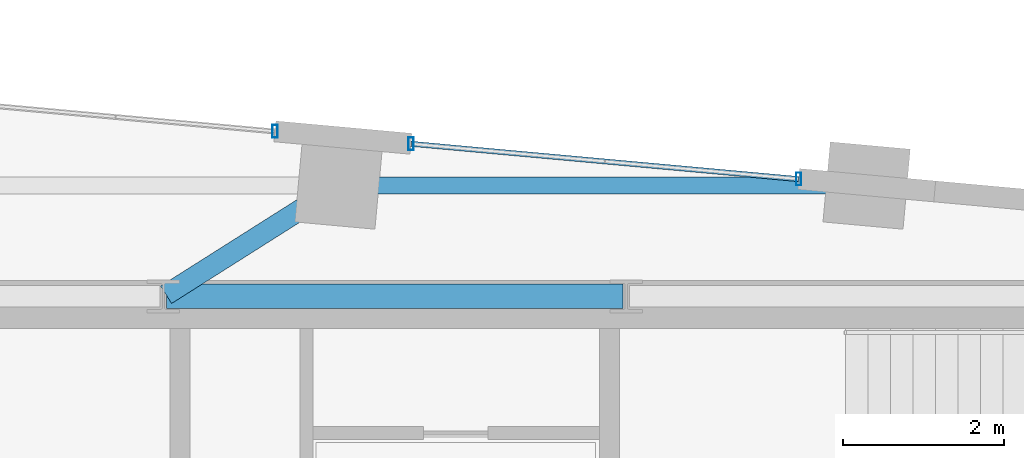
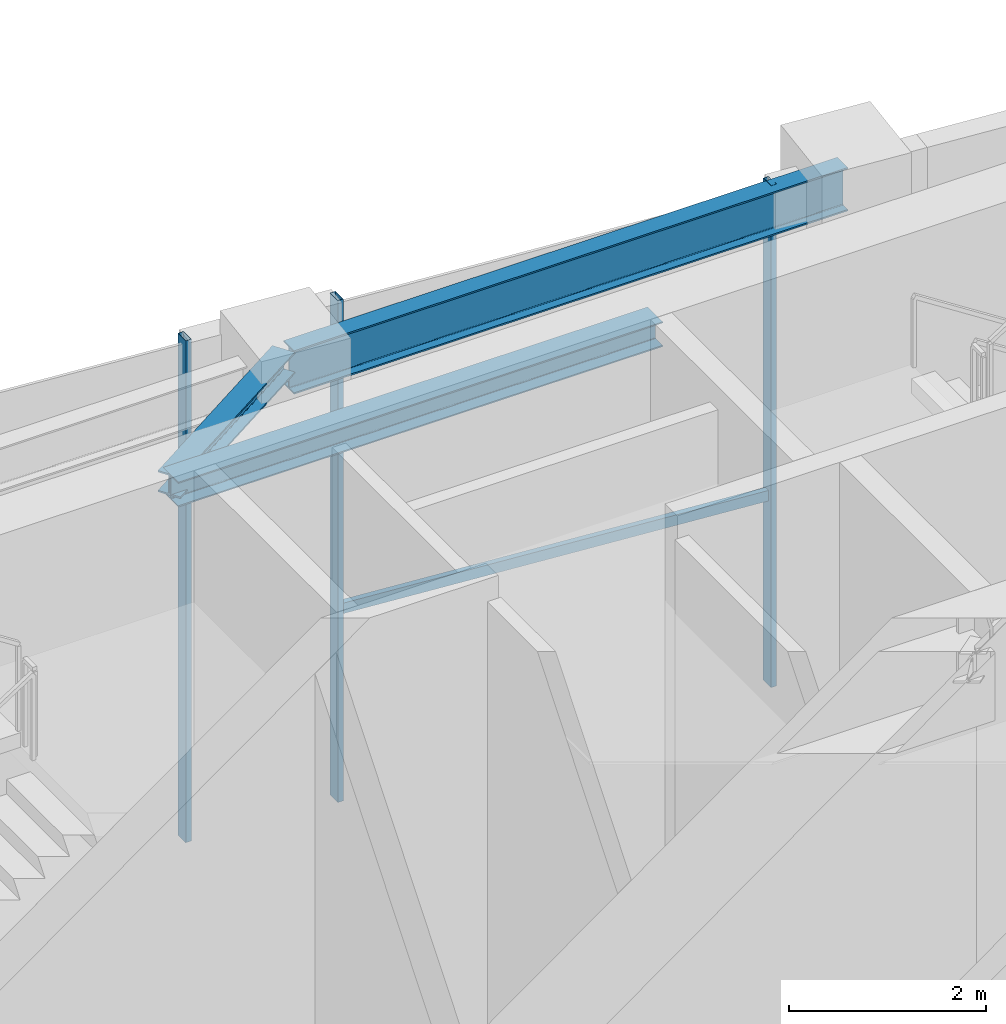
# One storey, part 8 of 14: 4 members, 3 beams, 2 elements without a shape of their own.
"""IFC4 building model written with IfcOpenShell, lengths in metres."""

from ifc_helpers import new_model, si_unit, direction, frame, origin, origin_2d, place, context, subcontext, project, spatial, hollow_rectangle, i_section, extrude, source, transform, mapped, material, material_profile, profile_set, type_object, type_shapes, element, aggregate, save


model = new_model("IFC4")

# Units and contexts
model_context = context("Model", 3, precision=1e-05, world=origin(), true_north=direction((0.0, 1.0)))
body_context = subcontext(model_context, "Body", "Model", "MODEL_VIEW")
ifc_project = project(units=[si_unit("LENGTHUNIT", "METRE"), si_unit("AREAUNIT", "SQUARE_METRE"), si_unit("VOLUMEUNIT", "CUBIC_METRE"), si_unit("PLANEANGLEUNIT", "RADIAN"), si_unit("MASSUNIT", "GRAM", prefix="KILO")], contexts=[model_context])

# Site, building, storey
site_placement = place(None, origin())
site = spatial("IfcSite", under=ifc_project, at=site_placement, CompositionType="ELEMENT")
building_placement = place(site_placement, origin())
building = spatial("IfcBuilding", under=site, at=building_placement, Name="Astriad Promenade Condominiums", CompositionType="ELEMENT")
storey_placement = place(building_placement, frame((0.0, 0.0, 270.800048828125)))
storey = spatial("IfcBuildingStorey", under=building, at=storey_placement, Name="L77", CompositionType="ELEMENT", Elevation=270.800048828125)

# Beams
ifc_material_1 = material(Name="Steel ASTM A992 Grade 50", Category="steel")
ifc_material_profile_1 = material_profile(ifc_material_1, i_section(OverallWidth=0.3046875, OverallDepth=0.307861328125, WebThickness=0.010009765625, FlangeThickness=0.015380859375, FilletRadius=0.01513671875, at=origin_2d()), Name="W12X65")
ifc_profile_set_1 = profile_set([ifc_material_profile_1], Name="Steel ASTM A992 Grade 50")
beam_type_1 = type_object("IfcBeamType", Name="STEEL OPENING LINTEL W12X65", PredefinedType="LINTEL", material=ifc_profile_set_1)
shared_shape_1 = source(origin(), body_context, "Body", "SweptSolid", [
    extrude(i_section(OverallWidth=0.3046875, OverallDepth=0.307861328125, WebThickness=0.010009765625, FlangeThickness=0.015380859375, FilletRadius=0.01513671875, at=origin_2d()), origin(), (0.0, 0.0, 1.0), 5.68017578125),
])
type_shapes(beam_type_1, [shared_shape_1])
beam_1_placement = place(storey_placement, frame((33.159912109375, 24.0, 6.066162109375), z_axis=(1.0, 0.0, 0.0), x_axis=(0.0, 1.0, 0.0)))
element("IfcBeam", 1, at=beam_1_placement, inside=storey, type_object=beam_type_1, Name="Core Ring Beam CG-N2-L77", PredefinedType="LINTEL", context=body_context, shape_type="MappedRepresentation", body=[
    mapped(shared_shape_1, transform((0.0, 0.0, 0.0), scale=1.0)),
])
ifc_material_profile_2 = material_profile(ifc_material_1, i_section(OverallWidth=0.210693359375, OverallDepth=0.53955078125, WebThickness=0.01171875, FlangeThickness=0.018798828125, FilletRadius=0.0166015625, at=origin_2d()), Name="W21X73")
ifc_profile_set_2 = profile_set([ifc_material_profile_2], Name="Steel ASTM A992 Grade 50")
beam_type_2 = type_object("IfcBeamType", Name="STEEL SPANDREL BEAM W21X73", PredefinedType="SPANDREL", material=ifc_profile_set_2)
shared_shape_2 = source(origin(), body_context, "Body", "SweptSolid", [
    extrude(i_section(OverallWidth=0.210693359375, OverallDepth=0.53955078125, WebThickness=0.01171875, FlangeThickness=0.018798828125, FilletRadius=0.0166015625, at=origin_2d()), origin(), (0.0, 0.0, 1.0), 6.49267578125),
])
type_shapes(beam_type_2, [shared_shape_2])
beam_2_placement = place(storey_placement, frame((41.8330078125, 25.3798828125, 5.9501953125), z_axis=(-1.0, 0.0, 0.0), x_axis=(0.0, -1.0, 0.0)))
element("IfcBeam", 2, at=beam_2_placement, inside=storey, type_object=beam_type_2, Name="Perimeter Spandrel Beam SP-N3-L77", PredefinedType="SPANDREL", context=body_context, shape_type="MappedRepresentation", body=[
    mapped(shared_shape_2, transform((0.0, 0.0, 0.0), scale=1.0)),
])
ifc_material_profile_3 = material_profile(ifc_material_1, i_section(OverallWidth=0.25732421875, OverallDepth=0.26416015625, WebThickness=0.011962890625, FlangeThickness=0.01953125, FilletRadius=0.0126953125, at=origin_2d()), Name="W10X68")
ifc_profile_set_3 = profile_set([ifc_material_profile_3], Name="Steel ASTM A992 Grade 50")
beam_type_3 = type_object("IfcBeamType", Name="STEEL CANOPY BEAM W10X68", PredefinedType="BEAM", material=ifc_profile_set_3)
shared_shape_3 = source(origin(), body_context, "Body", "SweptSolid", [
    extrude(i_section(OverallWidth=0.25732421875, OverallDepth=0.26416015625, WebThickness=0.011962890625, FlangeThickness=0.01953125, FilletRadius=0.0126953125, at=origin_2d()), origin(), (0.0, 0.0, 1.0), 2.50048828125),
])
type_shapes(beam_type_3, [shared_shape_3])
beam_3_placement = place(storey_placement, frame((35.2666015625, 25.358642578125, 6.087890625), z_axis=(-0.844989692299, -0.534782591255, 0.0), x_axis=(0.534782591255, -0.844989692299, 0.0)))
element("IfcBeam", 3, at=beam_3_placement, inside=storey, type_object=beam_type_3, Name="Primary Floor Girder PG-NC-L77", PredefinedType="BEAM", context=body_context, shape_type="MappedRepresentation", body=[
    mapped(shared_shape_3, transform((0.0, 0.0, 0.0), scale=1.0)),
])

# Curtain wall, member
ifc_material_2 = material(Name="Anodised aluminium Black Dark Glass Unitised", Category="aluminium")
curtain_wall_type = type_object("IfcCurtainWallType", Name="CW-TMD-LANTERN", PredefinedType="USERDEFINED", material=ifc_material_2)
curtain_wall_1_placement = place(storey_placement, origin())
curtain_wall_1 = element("IfcCurtainWall", 4, at=curtain_wall_1_placement, inside=storey, type_object=curtain_wall_type, Name="CW-LNT-L77-08-2", ObjectType="UNITISED_CURTAIN_WALL", PredefinedType="USERDEFINED")
ifc_material_3 = material(Name="Anodised aluminium 6063-T6 Black", Category="aluminium")
ifc_material_profile_4 = material_profile(ifc_material_3, hollow_rectangle(XDim=0.06494140625, YDim=0.1298828125, WallThickness=0.00390625, at=origin_2d()), Name="ALU-TRN-65X130")
ifc_profile_set_4 = profile_set([ifc_material_profile_4], Name="Anodised aluminium 6063-T6 Black")
member_type_1 = type_object("IfcMemberType", Name="TRN-ALU-TRN-65X130", PredefinedType="USERDEFINED", material=ifc_profile_set_4)
shared_shape_4 = source(origin(), body_context, "Body", "SweptSolid", [
    extrude(hollow_rectangle(XDim=0.06494140625, YDim=0.1298828125, WallThickness=0.00390625, at=origin_2d()), origin(), (0.0, 0.0, 1.0), 4.845947265625),
])
type_shapes(member_type_1, [shared_shape_4])
member_1_placement = place(storey_placement, frame((36.201171875, 25.900390625, 2.349853515625), z_axis=(0.995884116329, -0.090635681959, 0.0), x_axis=(0.090635681959, 0.995884116329, 0.0)))
member_1 = element("IfcMember", 5, at=member_1_placement, type_object=member_type_1, Name="CW-LNT-L77-08-2-TRN-00-0", ObjectType="TRANSOM", PredefinedType="USERDEFINED", context=body_context, shape_type="MappedRepresentation", body=[
    mapped(shared_shape_4, transform((0.0, 0.0, 0.0), scale=1.0)),
])

curtain_wall_2_placement = place(storey_placement, origin())
curtain_wall_2 = element("IfcCurtainWall", 6, at=curtain_wall_2_placement, inside=storey, type_object=curtain_wall_type, Name="CW-LNT-L77-08-1", ObjectType="UNITISED_CURTAIN_WALL", PredefinedType="USERDEFINED")
ifc_material_profile_5 = material_profile(ifc_material_3, hollow_rectangle(XDim=0.06494140625, YDim=0.159912109375, WallThickness=0.00390625, at=origin_2d()), Name="ALU-MUL-65X160")
ifc_profile_set_5 = profile_set([ifc_material_profile_5], Name="Anodised aluminium 6063-T6 Black")
member_type_2 = type_object("IfcMemberType", Name="MUL-ALU-MUL-65X160", PredefinedType="MULLION", material=ifc_profile_set_5)
shared_shape_5 = source(origin(), body_context, "Body", "SweptSolid", [
    extrude(hollow_rectangle(XDim=0.06494140625, YDim=0.159912109375, WallThickness=0.00390625, at=origin_2d()), origin(), (0.0, 0.0, 1.0), 6.219970703125),
])
type_shapes(member_type_2, [shared_shape_5])
member_2_placement = place(storey_placement, frame((34.50830078125, 26.0546875, 0.0), z_axis=(0.0, 0.0, 1.0), x_axis=(1.0, 0.0, 0.0)))
member_2 = element("IfcMember", 7, at=member_2_placement, type_object=member_type_2, Name="CW-LNT-L77-08-1-MUL-03", PredefinedType="MULLION", context=body_context, shape_type="MappedRepresentation", body=[
    mapped(shared_shape_5, transform((0.0, 0.0, 0.0), scale=1.0)),
])
aggregate(curtain_wall_2, [member_2])

# Member
member_3_placement = place(storey_placement, frame((36.201171875, 25.900390625, 0.0), z_axis=(0.0, 0.0, 1.0), x_axis=(1.0, 0.0, 0.0)))
member_3 = element("IfcMember", 8, at=member_3_placement, type_object=member_type_2, Name="CW-LNT-L77-08-2-MUL-00", PredefinedType="MULLION", context=body_context, shape_type="MappedRepresentation", body=[
    mapped(shared_shape_5, transform((0.0, 0.0, 0.0), scale=1.0)),
])

member_4_placement = place(storey_placement, frame((41.027099609375, 25.461181640625, 0.0), z_axis=(0.0, 0.0, 1.0), x_axis=(1.0, 0.0, 0.0)))
member_4 = element("IfcMember", 9, at=member_4_placement, type_object=member_type_2, Name="CW-LNT-L77-08-2-MUL-01", PredefinedType="MULLION", context=body_context, shape_type="MappedRepresentation", body=[
    mapped(shared_shape_5, transform((0.0, 0.0, 0.0), scale=1.0)),
])

aggregate(curtain_wall_1, [member_3, member_4, member_1])

save(model, "model.ifc")
